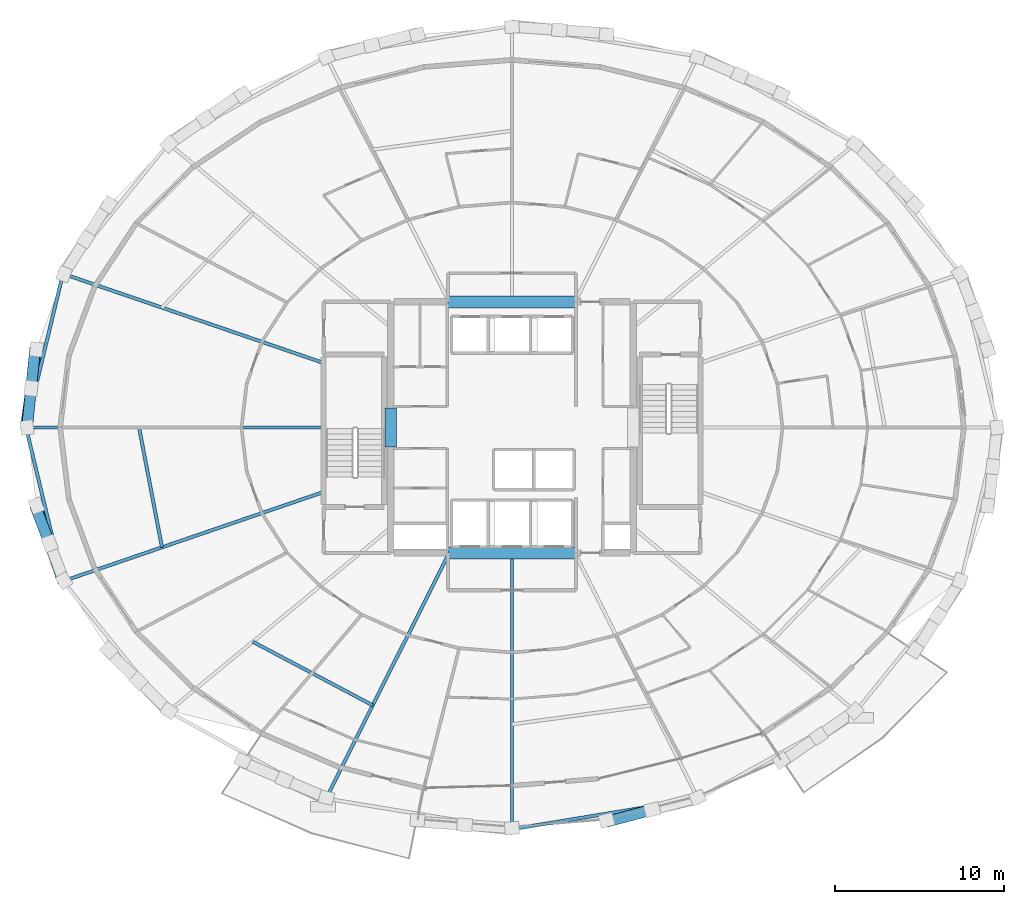
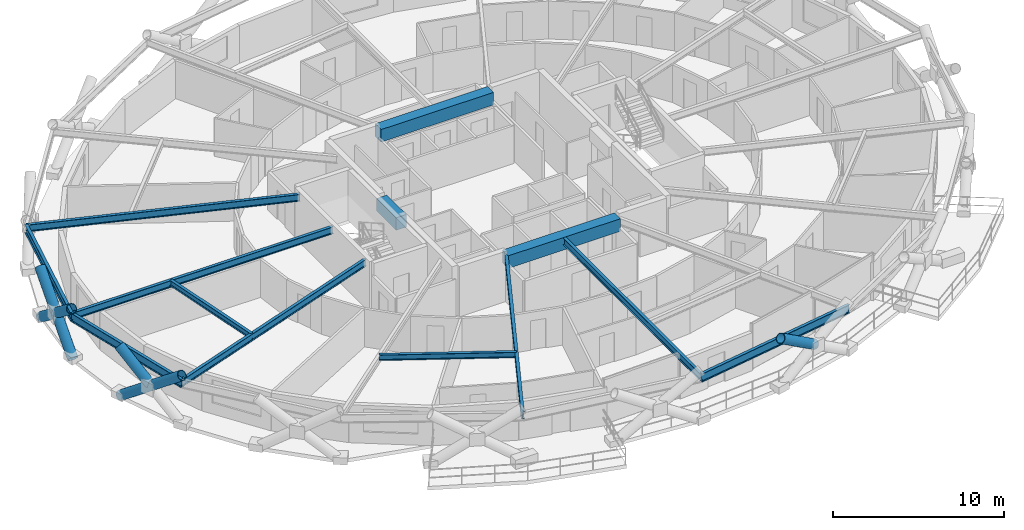
# One storey, part 3 of 14: 13 beams, 6 members.
"""IFC4 building model written with IfcOpenShell, lengths in metres."""

from ifc_helpers import new_model, si_unit, direction, frame, origin, origin_2d, place, context, subcontext, project, spatial, rectangle, hollow_circle, i_section, extrude, material, material_profile, profile_set, type_object, element, save


model = new_model("IFC4")

# Units and contexts
model_context = context("Model", 3, precision=1e-05, world=origin(), true_north=direction((0.0, 1.0)))
body_context = subcontext(model_context, "Body", "Model", "MODEL_VIEW")
ifc_project = project(units=[si_unit("LENGTHUNIT", "METRE"), si_unit("AREAUNIT", "SQUARE_METRE"), si_unit("VOLUMEUNIT", "CUBIC_METRE"), si_unit("PLANEANGLEUNIT", "RADIAN"), si_unit("MASSUNIT", "GRAM", prefix="KILO")], contexts=[model_context])

# Site, building, storey
site_placement = place(None, origin())
site = spatial("IfcSite", under=ifc_project, at=site_placement, CompositionType="ELEMENT")
building_placement = place(site_placement, origin())
building = spatial("IfcBuilding", under=site, at=building_placement, Name="Veldorina Hangang Commons", CompositionType="ELEMENT")
storey_placement = place(building_placement, frame((0.0, 0.0, 62.800048828125)))
storey = spatial("IfcBuildingStorey", under=building, at=storey_placement, Name="L15", CompositionType="ELEMENT", Elevation=62.800048828125)

# Beams
ifc_material_1 = material(Name="Concrete C70/85", Category="concrete")
ifc_material_profile_1 = material_profile(ifc_material_1, rectangle(XDim=0.699951171875, YDim=0.89990234375, at=origin_2d()), Name="RC-CB-700x900")
ifc_profile_set_1 = profile_set([ifc_material_profile_1], Name="Concrete C70/85")
beam_type_1 = type_object("IfcBeamType", Name="BM-CB900", PredefinedType="LINTEL", material=ifc_profile_set_1)
beam_1_placement = place(storey_placement, frame((24.800048828125, 22.85009765625, 2.889892578125), z_axis=(0.0, 1.0, 0.0), x_axis=(-1.0, 0.0, 0.0)))
element("IfcBeam", 1, at=beam_1_placement, inside=storey, type_object=beam_type_1, Name="L15 W core coupling lintel beam", PredefinedType="LINTEL", context=body_context, shape_type="SweptSolid", body=[
    extrude(rectangle(XDim=0.699951171875, YDim=0.89990234375, at=origin_2d()), origin(), (0.0, 0.0, 1.0), 2.2998046875),
])
for number, where, z_axis, x_axis, name in (
    (2, (28.199951171875, 16.550048828125, 2.889892578125), (1.0, 0.0, 0.0), (0.0, 1.0, 0.0), "L15 south core coupling beam"),
    (3, (28.199951171875, 31.449951171875, 2.889892578125), (1.0, 0.0, 0.0), (0.0, 1.0, 0.0), "L15 north core coupling beam"),
):
    element("IfcBeam", number, at=place(storey_placement, frame(where, z_axis=z_axis, x_axis=x_axis)), inside=storey, type_object=beam_type_1, Name=name, PredefinedType="LINTEL", context=body_context, shape_type="SweptSolid", body=[
        extrude(rectangle(XDim=0.699951171875, YDim=0.89990234375, at=origin_2d()), origin(), (0.0, 0.0, 1.0), 7.60009765625),
    ])
ifc_material_2 = material(Name="Steel SM420-TMC", Category="steel")
ifc_material_profile_2 = material_profile(ifc_material_2, i_section(OverallWidth=0.199951171875, OverallDepth=0.5, WebThickness=0.010009765625, FlangeThickness=0.01611328125, FilletRadius=0.01611328125, at=origin_2d()), Name="H-500x200x10x16")
ifc_profile_set_2 = profile_set([ifc_material_profile_2], Name="Steel SM420-TMC")
beam_type_2 = type_object("IfcBeamType", Name="BM-FG500", PredefinedType="BEAM", material=ifc_profile_set_2)
beam_2_placement = place(storey_placement, frame((20.820068359375, 27.827880859375, 3.08984375), z_axis=(-0.946075227489, 0.323947007906, 0.0), x_axis=(-0.323947007906, -0.946075227489, 0.0)))
element("IfcBeam", 4, at=beam_2_placement, inside=storey, type_object=beam_type_2, Name="L15 radial floor girder 08", PredefinedType="BEAM", context=body_context, shape_type="SweptSolid", body=[
    extrude(i_section(OverallWidth=0.199951171875, OverallDepth=0.5, WebThickness=0.010009765625, FlangeThickness=0.01611328125, FilletRadius=0.01611328125, at=origin_2d()), origin(), (0.0, 0.0, 1.0), 16.344970703125),
])
beam_3_placement = place(storey_placement, frame((20.820068359375, 24.0, 3.08984375), z_axis=(-1.0, 0.0, 0.0), x_axis=(0.0, -1.0, 0.0)))
element("IfcBeam", 5, at=beam_3_placement, inside=storey, type_object=beam_type_2, Name="L15 radial floor girder 09", PredefinedType="BEAM", context=body_context, shape_type="SweptSolid", body=[
    extrude(i_section(OverallWidth=0.199951171875, OverallDepth=0.5, WebThickness=0.010009765625, FlangeThickness=0.01611328125, FilletRadius=0.01611328125, at=origin_2d()), origin(), (0.0, 0.0, 1.0), 17.658935546875),
])
beam_4_placement = place(storey_placement, frame((20.820068359375, 20.172119140625, 3.08984375), z_axis=(-0.946075227489, -0.323947007906, 0.0), x_axis=(0.323947007906, -0.946075227489, 0.0)))
element("IfcBeam", 6, at=beam_4_placement, inside=storey, type_object=beam_type_2, Name="L15 radial floor girder 10", PredefinedType="BEAM", context=body_context, shape_type="SweptSolid", body=[
    extrude(i_section(OverallWidth=0.199951171875, OverallDepth=0.5, WebThickness=0.010009765625, FlangeThickness=0.01611328125, FilletRadius=0.01611328125, at=origin_2d()), origin(), (0.0, 0.0, 1.0), 16.344970703125),
])
beam_5_placement = place(storey_placement, frame((28.266845703125, 16.550048828125, 3.08984375), z_axis=(-0.447992204257, -0.89403746282, 0.0), x_axis=(0.89403746282, -0.447992204257, 0.0)))
element("IfcBeam", 7, at=beam_5_placement, inside=storey, type_object=beam_type_2, Name="L15 radial floor girder 12", PredefinedType="BEAM", context=body_context, shape_type="SweptSolid", body=[
    extrude(i_section(OverallWidth=0.199951171875, OverallDepth=0.5, WebThickness=0.010009765625, FlangeThickness=0.01611328125, FilletRadius=0.01611328125, at=origin_2d()), origin(), (0.0, 0.0, 1.0), 16.301513671875),
])
beam_6_placement = place(storey_placement, frame((32.0, 16.550048828125, 3.08984375), z_axis=(0.0, -1.0, 0.0), x_axis=(1.0, 0.0, 0.0)))
element("IfcBeam", 8, at=beam_6_placement, inside=storey, type_object=beam_type_2, Name="L15 radial floor girder 13", PredefinedType="BEAM", context=body_context, shape_type="SweptSolid", body=[
    extrude(i_section(OverallWidth=0.199951171875, OverallDepth=0.5, WebThickness=0.010009765625, FlangeThickness=0.01611328125, FilletRadius=0.01611328125, at=origin_2d()), origin(), (0.0, 0.0, 1.0), 16.388916015625),
])
ifc_material_3 = material(Name="Steel SM355-TMC", Category="steel")
ifc_material_profile_3 = material_profile(ifc_material_3, i_section(OverallWidth=0.199951171875, OverallDepth=0.39990234375, WebThickness=0.008056640625, FlangeThickness=0.012939453125, FilletRadius=0.012939453125, at=origin_2d()), Name="H-400x200x8x13")
ifc_profile_set_3 = profile_set([ifc_material_profile_3], Name="Steel SM355-TMC")
beam_type_3 = type_object("IfcBeamType", Name="BM-JST400", PredefinedType="JOIST", material=ifc_profile_set_3)
beam_7_placement = place(storey_placement, frame((9.87158203125, 24.0, 3.139892578125), z_axis=(0.188003058159, -0.982168442846, 0.0), x_axis=(0.982168442846, 0.188003058159, 0.0)))
element("IfcBeam", 9, at=beam_7_placement, inside=storey, type_object=beam_type_3, Name="L15 secondary floor joist 09", PredefinedType="JOIST", context=body_context, shape_type="SweptSolid", body=[
    extrude(i_section(OverallWidth=0.199951171875, OverallDepth=0.39990234375, WebThickness=0.008056640625, FlangeThickness=0.012939453125, FilletRadius=0.012939453125, at=origin_2d()), origin(), (0.0, 0.0, 1.0), 7.23974609375),
])
beam_8_placement = place(storey_placement, frame((16.620849609375, 11.287353515625, 3.139892578125), z_axis=(0.883531267792, -0.468372179825, 0.0), x_axis=(0.468372179825, 0.883531267792, 0.0)))
element("IfcBeam", 10, at=beam_8_placement, inside=storey, type_object=beam_type_3, Name="L15 secondary floor joist 11", PredefinedType="JOIST", context=body_context, shape_type="SweptSolid", body=[
    extrude(i_section(OverallWidth=0.199951171875, OverallDepth=0.39990234375, WebThickness=0.008056640625, FlangeThickness=0.012939453125, FilletRadius=0.012939453125, at=origin_2d()), origin(), (0.0, 0.0, 1.0), 8.056396484375),
])
ifc_material_profile_4 = material_profile(ifc_material_2, i_section(OverallWidth=0.199951171875, OverallDepth=0.60009765625, WebThickness=0.010986328125, FlangeThickness=0.01708984375, FilletRadius=0.01806640625, at=origin_2d()), Name="H-600x200x11x17")
ifc_profile_set_4 = profile_set([ifc_material_profile_4], Name="Steel SM420-TMC")
beam_type_4 = type_object("IfcBeamType", Name="BM-RB600", PredefinedType="BEAM", material=ifc_profile_set_4)
for number, where, z_axis, x_axis, name in (
    (11, (5.3564453125, 33.122802734375, 3.0400390625), (-0.233961384196, -0.972245890043, 0.0), (0.972245890043, -0.233961384196, 0.0), "L15 perimeter hoop ring beam 14"),
    (12, (3.1611328125, 24.0, 3.0400390625), (0.233961384196, -0.972245890043, 0.0), (0.972245890043, 0.233961384196, 0.0), "L15 perimeter hoop ring beam 16"),
):
    element("IfcBeam", number, at=place(storey_placement, frame(where, z_axis=z_axis, x_axis=x_axis)), inside=storey, type_object=beam_type_4, Name=name, PredefinedType="BEAM", context=body_context, shape_type="SweptSolid", body=[
        extrude(i_section(OverallWidth=0.199951171875, OverallDepth=0.60009765625, WebThickness=0.010986328125, FlangeThickness=0.01708984375, FilletRadius=0.01806640625, at=origin_2d()), origin(), (0.0, 0.0, 1.0), 9.38330078125),
    ])
beam_9_placement = place(storey_placement, frame((32.0, 0.1611328125, 3.0400390625), z_axis=(0.986749111678, 0.162253476398, 0.0), x_axis=(-0.162253476398, 0.986749111678, 0.0)))
element("IfcBeam", 13, at=beam_9_placement, inside=storey, type_object=beam_type_4, Name="L15 perimeter hoop ring beam 24", PredefinedType="BEAM", context=body_context, shape_type="SweptSolid", body=[
    extrude(i_section(OverallWidth=0.199951171875, OverallDepth=0.60009765625, WebThickness=0.010986328125, FlangeThickness=0.01708984375, FilletRadius=0.01806640625, at=origin_2d()), origin(), (0.0, 0.0, 1.0), 11.184326171875),
])

# Members
ifc_material_4 = material(Name="Steel SM460-TMC", Category="steel")
ifc_material_profile_5 = material_profile(ifc_material_4, hollow_circle(Radius=0.324951171875, WallThickness=0.031982421875, at=origin_2d()), Name="CHS-650x32")
ifc_profile_set_5 = profile_set([ifc_material_profile_5], Name="Steel SM460-TMC")
member_type = type_object("IfcMemberType", Name="DG-CHS650", PredefinedType="BRACE", material=ifc_profile_set_5)
member_1_placement = place(storey_placement, frame((3.78271484375, 28.63720703125, 0.0), z_axis=(-0.107419895217, -0.785347763568, 0.609663724008), x_axis=(0.990774854361, -0.13551822005, 0.0)))
element("IfcMember", 14, at=member_1_placement, inside=storey, type_object=member_type, Name="L15 continuous perimeter diagrid brace 15", PredefinedType="BRACE", context=body_context, shape_type="SweptSolid", body=[
    extrude(hollow_circle(Radius=0.324951171875, WallThickness=0.031982421875, at=origin_2d()), origin(), (0.0, 0.0, 1.0), 5.904541015625),
])
member_2_placement = place(storey_placement, frame((3.22998046875, 24.0, 0.0), z_axis=(0.080138833323, 0.788377167946, 0.60995016883), x_axis=(-0.994873296676, 0.101129241868, 0.0)))
element("IfcMember", 15, at=member_2_placement, inside=storey, type_object=member_type, Name="L15 split perimeter diagrid lower brace 16", PredefinedType="BRACE", context=body_context, shape_type="SweptSolid", body=[
    extrude(hollow_circle(Radius=0.324951171875, WallThickness=0.031982421875, at=origin_2d()), origin(), (0.0, 0.0, 1.0), 2.946044921875),
])
member_3_placement = place(storey_placement, frame((3.466064453125, 26.322509765625, 1.796875), z_axis=(0.080106675415, 0.788431371326, 0.609884327773), x_axis=(-0.994878077674, 0.101082197061, 0.0)))
element("IfcMember", 16, at=member_3_placement, inside=storey, type_object=member_type, Name="L15 split perimeter diagrid upper brace 16", PredefinedType="BRACE", context=body_context, shape_type="SweptSolid", body=[
    extrude(hollow_circle(Radius=0.324951171875, WallThickness=0.031982421875, at=origin_2d()), origin(), (0.0, 0.0, 1.0), 2.956298828125),
])
member_4_placement = place(storey_placement, frame((3.78271484375, 19.36279296875, 0.0), z_axis=(0.261929087392, -0.752994952235, 0.603648701718), x_axis=(0.94448986894, 0.328540541591, 0.0)))
element("IfcMember", 17, at=member_4_placement, inside=storey, type_object=member_type, Name="L15 continuous perimeter diagrid brace 17", PredefinedType="BRACE", context=body_context, shape_type="SweptSolid", body=[
    extrude(hollow_circle(Radius=0.324951171875, WallThickness=0.031982421875, at=origin_2d()), origin(), (0.0, 0.0, 1.0), 5.96337890625),
])
member_5_placement = place(storey_placement, frame((4.5625, 17.121337890625, 1.796875), z_axis=(-0.287470344707, 0.744189773361, 0.602944758779), x_axis=(-0.932822371752, -0.36033654097, 0.0)))
element("IfcMember", 18, at=member_5_placement, inside=storey, type_object=member_type, Name="L15 split perimeter diagrid upper brace 18", PredefinedType="BRACE", context=body_context, shape_type="SweptSolid", body=[
    extrude(hollow_circle(Radius=0.324951171875, WallThickness=0.031982421875, at=origin_2d()), origin(), (0.0, 0.0, 1.0), 2.990234375),
])
member_6_placement = place(storey_placement, frame((40.322998046875, 1.324462890625, 1.79736328125), z_axis=(-0.811502211376, -0.21618489502, 0.542888802699), x_axis=(0.257422855057, -0.966298853199, 0.0)))
element("IfcMember", 19, at=member_6_placement, inside=storey, type_object=member_type, Name="L15 split perimeter diagrid upper brace 26", PredefinedType="BRACE", context=body_context, shape_type="SweptSolid", body=[
    extrude(hollow_circle(Radius=0.324951171875, WallThickness=0.031982421875, at=origin_2d()), origin(), (0.0, 0.0, 1.0), 3.320068359375),
])

save(model, "model.ifc")
